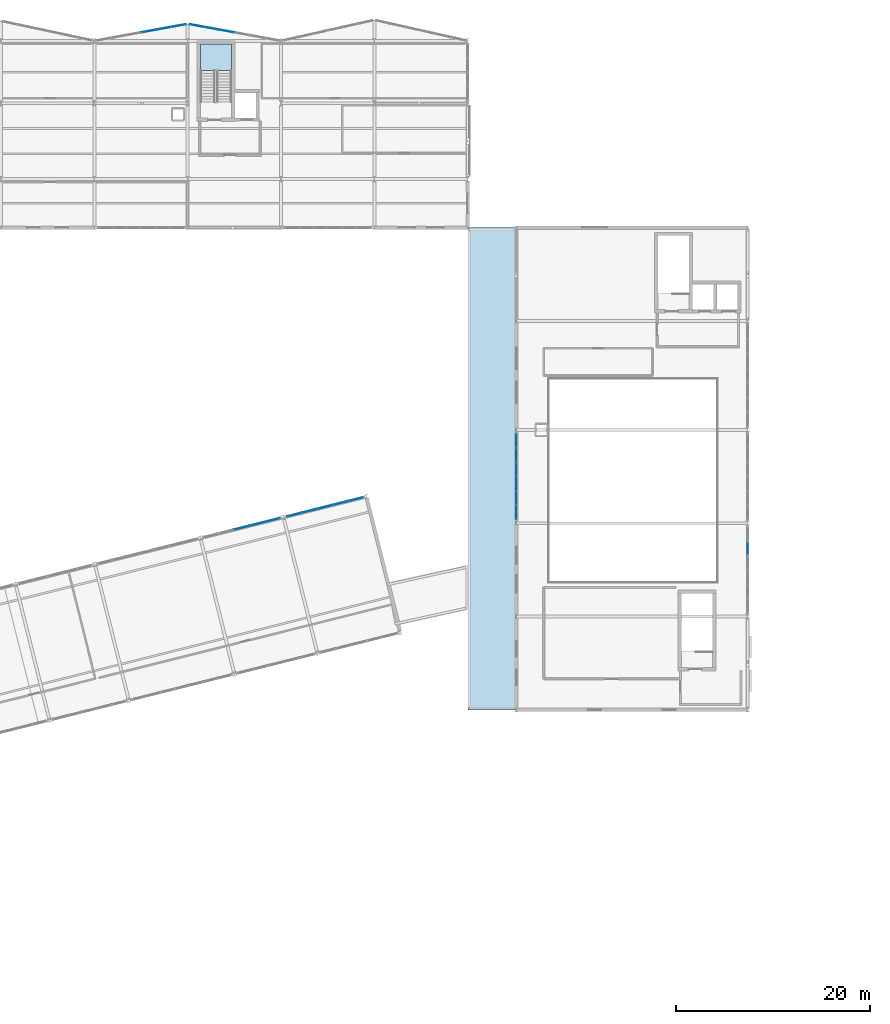
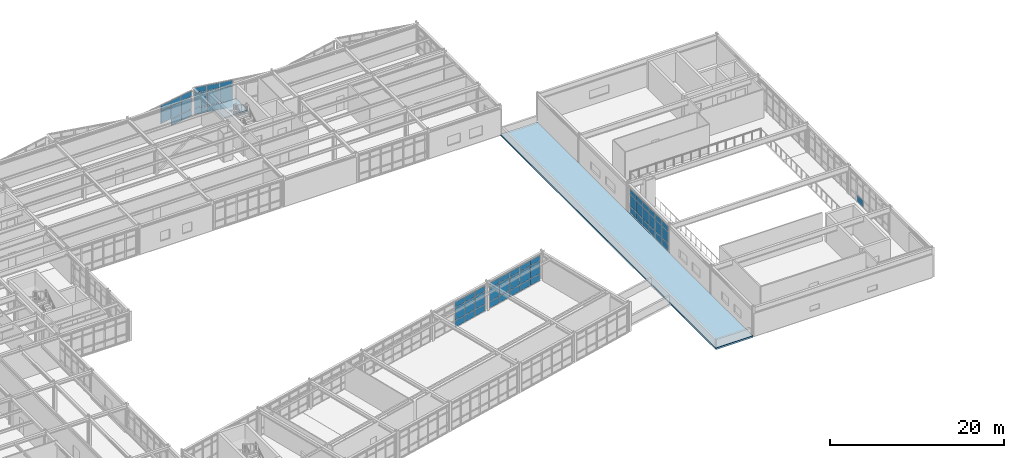
# One storey, part 54 of 76: 60 plates, 2 slabs, 7 elements without a shape of their own.
"""IFC4 building model written with IfcOpenShell, lengths in metres."""

from ifc_helpers import new_model, si_unit, direction, frame, origin, origin_2d, place, context, subcontext, project, spatial, polyline, rectangle, outline, extrude, material, layer, layer_set, type_object, element, aggregate, save


model = new_model("IFC4")

# Units and contexts
model_context = context("Model", 3, precision=1e-05, world=origin(), true_north=direction((0.0, 1.0)))
body_context = subcontext(model_context, "Body", "Model", "MODEL_VIEW")
ifc_project = project(units=[si_unit("LENGTHUNIT", "METRE"), si_unit("AREAUNIT", "SQUARE_METRE"), si_unit("VOLUMEUNIT", "CUBIC_METRE"), si_unit("PLANEANGLEUNIT", "RADIAN"), si_unit("MASSUNIT", "GRAM", prefix="KILO")], contexts=[model_context])

# Site, building, storey
site_placement = place(None, origin())
site = spatial("IfcSite", under=ifc_project, at=site_placement, CompositionType="ELEMENT")
building_placement = place(site_placement, origin())
building = spatial("IfcBuilding", under=site, at=building_placement, Name="Nordkorset Police Headquarters", CompositionType="ELEMENT")
storey_placement = place(building_placement, frame((0.0, 0.0, 13.64990234375)))
storey = spatial("IfcBuildingStorey", under=building, at=storey_placement, Name="L03", CompositionType="ELEMENT", Elevation=13.64990234375)

# Curtain wall, plates
ifc_material_1 = material(Name="Aluminium alloy AW-6060", Category="aluminium")
ifc_layer_1 = layer(ifc_material_1, 0.179931640625, Name="Aluminium alloy AW-6060")
ifc_layer_set_1 = layer_set([ifc_layer_1], Name="Aluminium alloy AW-6060")
curtain_wall_type_1 = type_object("IfcCurtainWallType", Name="CW_Unit_948x365", PredefinedType="USERDEFINED", material=ifc_layer_set_1)
curtain_wall_1_placement = place(storey_placement, origin())
curtain_wall_1 = element("IfcCurtainWall", 1, at=curtain_wall_1_placement, inside=storey, type_object=curtain_wall_type_1, Name="Unitised Curtain Wall L03 V2N-2", ObjectType="UNITISED CURTAIN WALL", PredefinedType="USERDEFINED")
ifc_material_2 = material(Name="Low-iron triple glazing", Category="glass")
ifc_layer_2 = layer(ifc_material_2, 0.035888671875, Name="Low-iron triple glazing")
ifc_layer_set_2 = layer_set([ifc_layer_2], Name="Low-iron triple glazing")
plate_type = type_object("IfcPlateType", Name="CW_Panel_TripleGlazing_36", PredefinedType="CURTAIN_PANEL", material=ifc_layer_set_2)
plate_1_placement = place(storey_placement, frame((53.5771484375, 117.816650390625, 1.03271484375), z_axis=(0.0, 0.0, 1.0), x_axis=(0.983787934979, 0.179335715876, 0.0)))
plate_1 = element("IfcPlate", 2, at=plate_1_placement, type_object=plate_type, Name="CW-39 panel 4.2", PredefinedType="CURTAIN_PANEL", context=body_context, shape_type="SweptSolid", body=[
    extrude(rectangle(XDim=1.5146484375, YDim=0.035888671875, at=origin_2d()), origin(), (0.0, 0.0, 1.0), 1.735107421875),
])
plate_2_placement = place(storey_placement, frame((53.5771484375, 117.816650390625, 2.83251953125), z_axis=(0.0, 0.0, 1.0), x_axis=(0.983787934979, 0.179335715876, 0.0)))
plate_2 = element("IfcPlate", 3, at=plate_2_placement, type_object=plate_type, Name="CW-39 panel 4.3", PredefinedType="CURTAIN_PANEL", context=body_context, shape_type="SweptSolid", body=[
    extrude(rectangle(XDim=1.5146484375, YDim=0.035888671875, at=origin_2d()), origin(), (0.0, 0.0, 1.0), 0.75244140625),
])
plate_3_placement = place(storey_placement, frame((55.131103515625, 118.099853515625, 0.06494140625), z_axis=(0.0, 0.0, 1.0), x_axis=(0.983787934979, 0.179335715876, 0.0)))
plate_3 = element("IfcPlate", 4, at=plate_3_placement, type_object=plate_type, Name="CW-39 panel 5.1", PredefinedType="CURTAIN_PANEL", context=body_context, shape_type="SweptSolid", body=[
    extrude(rectangle(XDim=1.5146484375, YDim=0.035888671875, at=origin_2d()), origin(), (0.0, 0.0, 1.0), 0.902587890625),
])
plate_4_placement = place(storey_placement, frame((55.131103515625, 118.099853515625, 1.03271484375), z_axis=(0.0, 0.0, 1.0), x_axis=(0.983787934979, 0.179335715876, 0.0)))
plate_4 = element("IfcPlate", 5, at=plate_4_placement, type_object=plate_type, Name="CW-39 panel 5.2", PredefinedType="CURTAIN_PANEL", context=body_context, shape_type="SweptSolid", body=[
    extrude(rectangle(XDim=1.5146484375, YDim=0.035888671875, at=origin_2d()), origin(), (0.0, 0.0, 1.0), 1.735107421875),
])
plate_5_placement = place(storey_placement, frame((55.131103515625, 118.099853515625, 2.83251953125), z_axis=(0.0, 0.0, 1.0), x_axis=(0.983787934979, 0.179335715876, 0.0)))
plate_5 = element("IfcPlate", 6, at=plate_5_placement, type_object=plate_type, Name="CW-39 panel 5.3", PredefinedType="CURTAIN_PANEL", context=body_context, shape_type="SweptSolid", body=[
    extrude(rectangle(XDim=1.5146484375, YDim=0.035888671875, at=origin_2d()), origin(), (0.0, 0.0, 1.0), 0.75244140625),
])
plate_6_placement = place(storey_placement, frame((56.669189453125, 118.38037109375, 0.06494140625), z_axis=(0.0, 0.0, 1.0), x_axis=(0.983787934979, 0.179335715876, 0.0)))
plate_6 = element("IfcPlate", 7, at=plate_6_placement, type_object=plate_type, Name="CW-39 panel 6.1", PredefinedType="CURTAIN_PANEL", context=body_context, shape_type="SweptSolid", body=[
    extrude(rectangle(XDim=1.482177734375, YDim=0.035888671875, at=origin_2d()), origin(), (0.0, 0.0, 1.0), 0.902587890625),
])
plate_7_placement = place(storey_placement, frame((56.669189453125, 118.38037109375, 1.03271484375), z_axis=(0.0, 0.0, 1.0), x_axis=(0.983787934979, 0.179335715876, 0.0)))
plate_7 = element("IfcPlate", 8, at=plate_7_placement, type_object=plate_type, Name="CW-39 panel 6.2", PredefinedType="CURTAIN_PANEL", context=body_context, shape_type="SweptSolid", body=[
    extrude(rectangle(XDim=1.482177734375, YDim=0.035888671875, at=origin_2d()), origin(), (0.0, 0.0, 1.0), 1.735107421875),
])
plate_8_placement = place(storey_placement, frame((56.669189453125, 118.38037109375, 2.83251953125), z_axis=(0.0, 0.0, 1.0), x_axis=(0.983787934979, 0.179335715876, 0.0)))
plate_8 = element("IfcPlate", 9, at=plate_8_placement, type_object=plate_type, Name="CW-39 panel 6.3", PredefinedType="CURTAIN_PANEL", context=body_context, shape_type="SweptSolid", body=[
    extrude(rectangle(XDim=1.482177734375, YDim=0.035888671875, at=origin_2d()), origin(), (0.0, 0.0, 1.0), 0.75244140625),
])
aggregate(curtain_wall_1, [plate_1, plate_2, plate_3, plate_4, plate_5, plate_6, plate_7, plate_8])

ifc_material_3 = material(Name="Aluminium alloy AW-6060", Category="aluminium")
ifc_layer_3 = layer(ifc_material_3, 0.179931640625, Name="Aluminium alloy AW-6060")
ifc_layer_set_3 = layer_set([ifc_layer_3], Name="Aluminium alloy AW-6060")
curtain_wall_type_2 = type_object("IfcCurtainWallType", Name="CW_Unit_948x392", PredefinedType="USERDEFINED", material=ifc_layer_set_3)
curtain_wall_2_placement = place(storey_placement, origin())
curtain_wall_2 = element("IfcCurtainWall", 10, at=curtain_wall_2_placement, inside=storey, type_object=curtain_wall_type_2, Name="Unitised Curtain Wall L03 V2N-3", ObjectType="UNITISED CURTAIN WALL", PredefinedType="USERDEFINED")
plate_9_placement = place(storey_placement, frame((58.53076171875, 118.38037109375, 0.06494140625), z_axis=(0.0, 0.0, 1.0), x_axis=(0.983787934979, -0.179335715876, 0.0)))
plate_9 = element("IfcPlate", 11, at=plate_9_placement, type_object=plate_type, Name="CW-65 panel 1.1", PredefinedType="CURTAIN_PANEL", context=body_context, shape_type="SweptSolid", body=[
    extrude(rectangle(XDim=1.482177734375, YDim=0.035888671875, at=origin_2d()), origin(), (0.0, 0.0, 1.0), 0.902587890625),
])
plate_10_placement = place(storey_placement, frame((58.53076171875, 118.38037109375, 1.03271484375), z_axis=(0.0, 0.0, 1.0), x_axis=(0.983787934979, -0.179335715876, 0.0)))
plate_10 = element("IfcPlate", 12, at=plate_10_placement, type_object=plate_type, Name="CW-65 panel 1.2", PredefinedType="CURTAIN_PANEL", context=body_context, shape_type="SweptSolid", body=[
    extrude(rectangle(XDim=1.482177734375, YDim=0.035888671875, at=origin_2d()), origin(), (0.0, 0.0, 1.0), 2.0048828125),
])
plate_11_placement = place(storey_placement, frame((58.53076171875, 118.38037109375, 3.1025390625), z_axis=(0.0, 0.0, 1.0), x_axis=(0.983787934979, -0.179335715876, 0.0)))
plate_11 = element("IfcPlate", 13, at=plate_11_placement, type_object=plate_type, Name="CW-65 panel 1.3", PredefinedType="CURTAIN_PANEL", context=body_context, shape_type="SweptSolid", body=[
    extrude(rectangle(XDim=1.482177734375, YDim=0.035888671875, at=origin_2d()), origin(), (0.0, 0.0, 1.0), 0.75244140625),
])
plate_12_placement = place(storey_placement, frame((60.06884765625, 118.099853515625, 0.06494140625), z_axis=(0.0, 0.0, 1.0), x_axis=(0.983787934979, -0.179335715876, 0.0)))
plate_12 = element("IfcPlate", 14, at=plate_12_placement, type_object=plate_type, Name="CW-65 panel 2.1", PredefinedType="CURTAIN_PANEL", context=body_context, shape_type="SweptSolid", body=[
    extrude(rectangle(XDim=1.5146484375, YDim=0.035888671875, at=origin_2d()), origin(), (0.0, 0.0, 1.0), 0.902587890625),
])
plate_13_placement = place(storey_placement, frame((60.06884765625, 118.099853515625, 1.03271484375), z_axis=(0.0, 0.0, 1.0), x_axis=(0.983787934979, -0.179335715876, 0.0)))
plate_13 = element("IfcPlate", 15, at=plate_13_placement, type_object=plate_type, Name="CW-65 panel 2.2", PredefinedType="CURTAIN_PANEL", context=body_context, shape_type="SweptSolid", body=[
    extrude(rectangle(XDim=1.5146484375, YDim=0.035888671875, at=origin_2d()), origin(), (0.0, 0.0, 1.0), 2.0048828125),
])
plate_14_placement = place(storey_placement, frame((60.06884765625, 118.099853515625, 3.1025390625), z_axis=(0.0, 0.0, 1.0), x_axis=(0.983787934979, -0.179335715876, 0.0)))
plate_14 = element("IfcPlate", 16, at=plate_14_placement, type_object=plate_type, Name="CW-65 panel 2.3", PredefinedType="CURTAIN_PANEL", context=body_context, shape_type="SweptSolid", body=[
    extrude(rectangle(XDim=1.5146484375, YDim=0.035888671875, at=origin_2d()), origin(), (0.0, 0.0, 1.0), 0.75244140625),
])
plate_15_placement = place(storey_placement, frame((61.623046875, 117.816650390625, 0.06494140625), z_axis=(0.0, 0.0, 1.0), x_axis=(0.983787934979, -0.179335715876, 0.0)))
plate_15 = element("IfcPlate", 17, at=plate_15_placement, type_object=plate_type, Name="CW-65 panel 3.1", PredefinedType="CURTAIN_PANEL", context=body_context, shape_type="SweptSolid", body=[
    extrude(rectangle(XDim=1.5146484375, YDim=0.035888671875, at=origin_2d()), origin(), (0.0, 0.0, 1.0), 0.902587890625),
])
plate_16_placement = place(storey_placement, frame((61.623046875, 117.816650390625, 1.03271484375), z_axis=(0.0, 0.0, 1.0), x_axis=(0.983787934979, -0.179335715876, 0.0)))
plate_16 = element("IfcPlate", 18, at=plate_16_placement, type_object=plate_type, Name="CW-65 panel 3.2", PredefinedType="CURTAIN_PANEL", context=body_context, shape_type="SweptSolid", body=[
    extrude(rectangle(XDim=1.5146484375, YDim=0.035888671875, at=origin_2d()), origin(), (0.0, 0.0, 1.0), 2.0048828125),
])
plate_17_placement = place(storey_placement, frame((61.623046875, 117.816650390625, 3.1025390625), z_axis=(0.0, 0.0, 1.0), x_axis=(0.983787934979, -0.179335715876, 0.0)))
plate_17 = element("IfcPlate", 19, at=plate_17_placement, type_object=plate_type, Name="CW-65 panel 3.3", PredefinedType="CURTAIN_PANEL", context=body_context, shape_type="SweptSolid", body=[
    extrude(rectangle(XDim=1.5146484375, YDim=0.035888671875, at=origin_2d()), origin(), (0.0, 0.0, 1.0), 0.75244140625),
])
aggregate(curtain_wall_2, [plate_9, plate_10, plate_11, plate_12, plate_13, plate_14, plate_15, plate_16, plate_17])

ifc_material_4 = material(Name="Aluminium alloy AW-6060", Category="aluminium")
ifc_layer_4 = layer(ifc_material_4, 0.179931640625, Name="Aluminium alloy AW-6060")
ifc_layer_set_4 = layer_set([ifc_layer_4], Name="Aluminium alloy AW-6060")
curtain_wall_type_3 = type_object("IfcCurtainWallType", Name="CW_Unit_816x366", PredefinedType="USERDEFINED", material=ifc_layer_set_4)
curtain_wall_3_placement = place(storey_placement, origin())
curtain_wall_3 = element("IfcCurtainWall", 20, at=curtain_wall_3_placement, inside=storey, type_object=curtain_wall_type_3, Name="Unitised Curtain Wall L03 V4N-4", ObjectType="UNITISED CURTAIN WALL", PredefinedType="USERDEFINED")
plate_18_placement = place(storey_placement, frame((63.181884765625, 66.738525390625, 0.06494140625), z_axis=(0.0, 0.0, 1.0), x_axis=(0.970142572234, 0.242535336683, 0.0)))
plate_18 = element("IfcPlate", 21, at=plate_18_placement, type_object=plate_type, Name="CW-87 panel 3.1", PredefinedType="CURTAIN_PANEL", context=body_context, shape_type="SweptSolid", body=[
    extrude(rectangle(XDim=1.56689453125, YDim=0.035888671875, at=origin_2d()), origin(), (0.0, 0.0, 1.0), 0.902587890625),
])
plate_19_placement = place(storey_placement, frame((63.181884765625, 66.738525390625, 1.03271484375), z_axis=(0.0, 0.0, 1.0), x_axis=(0.970142572234, 0.242535336683, 0.0)))
plate_19 = element("IfcPlate", 22, at=plate_19_placement, type_object=plate_type, Name="CW-87 panel 3.2", PredefinedType="CURTAIN_PANEL", context=body_context, shape_type="SweptSolid", body=[
    extrude(rectangle(XDim=1.56689453125, YDim=0.035888671875, at=origin_2d()), origin(), (0.0, 0.0, 1.0), 1.739990234375),
])
plate_20_placement = place(storey_placement, frame((63.181884765625, 66.738525390625, 2.837646484375), z_axis=(0.0, 0.0, 1.0), x_axis=(0.970142572234, 0.242535336683, 0.0)))
plate_20 = element("IfcPlate", 23, at=plate_20_placement, type_object=plate_type, Name="CW-87 panel 3.3", PredefinedType="CURTAIN_PANEL", context=body_context, shape_type="SweptSolid", body=[
    extrude(rectangle(XDim=1.56689453125, YDim=0.035888671875, at=origin_2d()), origin(), (0.0, 0.0, 1.0), 0.75244140625),
])
plate_21_placement = place(storey_placement, frame((64.76513671875, 67.134521484375, 0.06494140625), z_axis=(0.0, 0.0, 1.0), x_axis=(0.970142572234, 0.242535336683, 0.0)))
plate_21 = element("IfcPlate", 24, at=plate_21_placement, type_object=plate_type, Name="CW-87 panel 4.1", PredefinedType="CURTAIN_PANEL", context=body_context, shape_type="SweptSolid", body=[
    extrude(rectangle(XDim=1.56689453125, YDim=0.035888671875, at=origin_2d()), origin(), (0.0, 0.0, 1.0), 0.902587890625),
])
plate_22_placement = place(storey_placement, frame((64.76513671875, 67.134521484375, 1.03271484375), z_axis=(0.0, 0.0, 1.0), x_axis=(0.970142572234, 0.242535336683, 0.0)))
plate_22 = element("IfcPlate", 25, at=plate_22_placement, type_object=plate_type, Name="CW-87 panel 4.2", PredefinedType="CURTAIN_PANEL", context=body_context, shape_type="SweptSolid", body=[
    extrude(rectangle(XDim=1.56689453125, YDim=0.035888671875, at=origin_2d()), origin(), (0.0, 0.0, 1.0), 1.739990234375),
])
plate_23_placement = place(storey_placement, frame((64.76513671875, 67.134521484375, 2.837646484375), z_axis=(0.0, 0.0, 1.0), x_axis=(0.970142572234, 0.242535336683, 0.0)))
plate_23 = element("IfcPlate", 26, at=plate_23_placement, type_object=plate_type, Name="CW-87 panel 4.3", PredefinedType="CURTAIN_PANEL", context=body_context, shape_type="SweptSolid", body=[
    extrude(rectangle(XDim=1.56689453125, YDim=0.035888671875, at=origin_2d()), origin(), (0.0, 0.0, 1.0), 0.75244140625),
])
plate_24_placement = place(storey_placement, frame((66.33251953125, 67.5263671875, 0.06494140625), z_axis=(0.0, 0.0, 1.0), x_axis=(0.970142572234, 0.242535336683, 0.0)))
plate_24 = element("IfcPlate", 27, at=plate_24_placement, type_object=plate_type, Name="CW-87 panel 5.1", PredefinedType="CURTAIN_PANEL", context=body_context, shape_type="SweptSolid", body=[
    extrude(rectangle(XDim=1.534423828125, YDim=0.035888671875, at=origin_2d()), origin(), (0.0, 0.0, 1.0), 0.902587890625),
])
plate_25_placement = place(storey_placement, frame((66.33251953125, 67.5263671875, 1.03271484375), z_axis=(0.0, 0.0, 1.0), x_axis=(0.970142572234, 0.242535336683, 0.0)))
plate_25 = element("IfcPlate", 28, at=plate_25_placement, type_object=plate_type, Name="CW-87 panel 5.2", PredefinedType="CURTAIN_PANEL", context=body_context, shape_type="SweptSolid", body=[
    extrude(rectangle(XDim=1.534423828125, YDim=0.035888671875, at=origin_2d()), origin(), (0.0, 0.0, 1.0), 1.739990234375),
])
plate_26_placement = place(storey_placement, frame((66.33251953125, 67.5263671875, 2.837646484375), z_axis=(0.0, 0.0, 1.0), x_axis=(0.970142572234, 0.242535336683, 0.0)))
plate_26 = element("IfcPlate", 29, at=plate_26_placement, type_object=plate_type, Name="CW-87 panel 5.3", PredefinedType="CURTAIN_PANEL", context=body_context, shape_type="SweptSolid", body=[
    extrude(rectangle(XDim=1.534423828125, YDim=0.035888671875, at=origin_2d()), origin(), (0.0, 0.0, 1.0), 0.75244140625),
])
aggregate(curtain_wall_3, [plate_18, plate_19, plate_20, plate_21, plate_22, plate_23, plate_24, plate_25, plate_26])

curtain_wall_4_placement = place(storey_placement, origin())
curtain_wall_4 = element("IfcCurtainWall", 30, at=curtain_wall_4_placement, inside=storey, type_object=curtain_wall_type_3, Name="Unitised Curtain Wall L03 V4N-5", ObjectType="UNITISED CURTAIN WALL", PredefinedType="USERDEFINED")
plate_27_placement = place(storey_placement, frame((68.568359375, 68.085205078125, 0.06494140625), z_axis=(0.0, 0.0, 1.0), x_axis=(0.970142500145, 0.242535625038, 0.0)))
plate_27 = element("IfcPlate", 31, at=plate_27_placement, type_object=plate_type, Name="CW-87 panel 1.1", PredefinedType="CURTAIN_PANEL", context=body_context, shape_type="SweptSolid", body=[
    extrude(rectangle(XDim=1.534423828125, YDim=0.035888671875, at=origin_2d()), origin(), (0.0, 0.0, 1.0), 0.902587890625),
])
plate_28_placement = place(storey_placement, frame((68.568359375, 68.085205078125, 1.03271484375), z_axis=(0.0, 0.0, 1.0), x_axis=(0.970142500145, 0.242535625038, 0.0)))
plate_28 = element("IfcPlate", 32, at=plate_28_placement, type_object=plate_type, Name="CW-87 panel 1.2", PredefinedType="CURTAIN_PANEL", context=body_context, shape_type="SweptSolid", body=[
    extrude(rectangle(XDim=1.534423828125, YDim=0.035888671875, at=origin_2d()), origin(), (0.0, 0.0, 1.0), 1.739990234375),
])
plate_29_placement = place(storey_placement, frame((68.568359375, 68.085205078125, 2.837646484375), z_axis=(0.0, 0.0, 1.0), x_axis=(0.970142500145, 0.242535625038, 0.0)))
plate_29 = element("IfcPlate", 33, at=plate_29_placement, type_object=plate_type, Name="CW-87 panel 1.3", PredefinedType="CURTAIN_PANEL", context=body_context, shape_type="SweptSolid", body=[
    extrude(rectangle(XDim=1.534423828125, YDim=0.035888671875, at=origin_2d()), origin(), (0.0, 0.0, 1.0), 0.75244140625),
])
plate_30_placement = place(storey_placement, frame((70.1357421875, 68.47705078125, 0.06494140625), z_axis=(0.0, 0.0, 1.0), x_axis=(0.970142500145, 0.242535625038, 0.0)))
plate_30 = element("IfcPlate", 34, at=plate_30_placement, type_object=plate_type, Name="CW-87 panel 2.1", PredefinedType="CURTAIN_PANEL", context=body_context, shape_type="SweptSolid", body=[
    extrude(rectangle(XDim=1.56689453125, YDim=0.035888671875, at=origin_2d()), origin(), (0.0, 0.0, 1.0), 0.902587890625),
])
plate_31_placement = place(storey_placement, frame((70.1357421875, 68.47705078125, 1.03271484375), z_axis=(0.0, 0.0, 1.0), x_axis=(0.970142500145, 0.242535625038, 0.0)))
plate_31 = element("IfcPlate", 35, at=plate_31_placement, type_object=plate_type, Name="CW-87 panel 2.2", PredefinedType="CURTAIN_PANEL", context=body_context, shape_type="SweptSolid", body=[
    extrude(rectangle(XDim=1.56689453125, YDim=0.035888671875, at=origin_2d()), origin(), (0.0, 0.0, 1.0), 1.739990234375),
])
plate_32_placement = place(storey_placement, frame((70.1357421875, 68.47705078125, 2.837646484375), z_axis=(0.0, 0.0, 1.0), x_axis=(0.970142500145, 0.242535625038, 0.0)))
plate_32 = element("IfcPlate", 36, at=plate_32_placement, type_object=plate_type, Name="CW-87 panel 2.3", PredefinedType="CURTAIN_PANEL", context=body_context, shape_type="SweptSolid", body=[
    extrude(rectangle(XDim=1.56689453125, YDim=0.035888671875, at=origin_2d()), origin(), (0.0, 0.0, 1.0), 0.75244140625),
])
plate_33_placement = place(storey_placement, frame((71.718994140625, 68.873046875, 0.06494140625), z_axis=(0.0, 0.0, 1.0), x_axis=(0.970142500145, 0.242535625038, 0.0)))
plate_33 = element("IfcPlate", 37, at=plate_33_placement, type_object=plate_type, Name="CW-87 panel 3.1", PredefinedType="CURTAIN_PANEL", context=body_context, shape_type="SweptSolid", body=[
    extrude(rectangle(XDim=1.56689453125, YDim=0.035888671875, at=origin_2d()), origin(), (0.0, 0.0, 1.0), 0.902587890625),
])
plate_34_placement = place(storey_placement, frame((71.718994140625, 68.873046875, 1.03271484375), z_axis=(0.0, 0.0, 1.0), x_axis=(0.970142500145, 0.242535625038, 0.0)))
plate_34 = element("IfcPlate", 38, at=plate_34_placement, type_object=plate_type, Name="CW-87 panel 3.2", PredefinedType="CURTAIN_PANEL", context=body_context, shape_type="SweptSolid", body=[
    extrude(rectangle(XDim=1.56689453125, YDim=0.035888671875, at=origin_2d()), origin(), (0.0, 0.0, 1.0), 1.739990234375),
])
plate_35_placement = place(storey_placement, frame((71.718994140625, 68.873046875, 2.837646484375), z_axis=(0.0, 0.0, 1.0), x_axis=(0.970142500145, 0.242535625038, 0.0)))
plate_35 = element("IfcPlate", 39, at=plate_35_placement, type_object=plate_type, Name="CW-87 panel 3.3", PredefinedType="CURTAIN_PANEL", context=body_context, shape_type="SweptSolid", body=[
    extrude(rectangle(XDim=1.56689453125, YDim=0.035888671875, at=origin_2d()), origin(), (0.0, 0.0, 1.0), 0.75244140625),
])
plate_36_placement = place(storey_placement, frame((73.30224609375, 69.268798828125, 0.06494140625), z_axis=(0.0, 0.0, 1.0), x_axis=(0.970142500145, 0.242535625038, 0.0)))
plate_36 = element("IfcPlate", 40, at=plate_36_placement, type_object=plate_type, Name="CW-87 panel 4.1", PredefinedType="CURTAIN_PANEL", context=body_context, shape_type="SweptSolid", body=[
    extrude(rectangle(XDim=1.56689453125, YDim=0.035888671875, at=origin_2d()), origin(), (0.0, 0.0, 1.0), 0.902587890625),
])
plate_37_placement = place(storey_placement, frame((73.30224609375, 69.268798828125, 1.03271484375), z_axis=(0.0, 0.0, 1.0), x_axis=(0.970142500145, 0.242535625038, 0.0)))
plate_37 = element("IfcPlate", 41, at=plate_37_placement, type_object=plate_type, Name="CW-87 panel 4.2", PredefinedType="CURTAIN_PANEL", context=body_context, shape_type="SweptSolid", body=[
    extrude(rectangle(XDim=1.56689453125, YDim=0.035888671875, at=origin_2d()), origin(), (0.0, 0.0, 1.0), 1.739990234375),
])
plate_38_placement = place(storey_placement, frame((73.30224609375, 69.268798828125, 2.837646484375), z_axis=(0.0, 0.0, 1.0), x_axis=(0.970142500145, 0.242535625038, 0.0)))
plate_38 = element("IfcPlate", 42, at=plate_38_placement, type_object=plate_type, Name="CW-87 panel 4.3", PredefinedType="CURTAIN_PANEL", context=body_context, shape_type="SweptSolid", body=[
    extrude(rectangle(XDim=1.56689453125, YDim=0.035888671875, at=origin_2d()), origin(), (0.0, 0.0, 1.0), 0.75244140625),
])
plate_39_placement = place(storey_placement, frame((74.869873046875, 69.66064453125, 0.06494140625), z_axis=(0.0, 0.0, 1.0), x_axis=(0.970142500145, 0.242535625038, 0.0)))
plate_39 = element("IfcPlate", 43, at=plate_39_placement, type_object=plate_type, Name="CW-87 panel 5.1", PredefinedType="CURTAIN_PANEL", context=body_context, shape_type="SweptSolid", body=[
    extrude(rectangle(XDim=1.534423828125, YDim=0.035888671875, at=origin_2d()), origin(), (0.0, 0.0, 1.0), 0.902587890625),
])
plate_40_placement = place(storey_placement, frame((74.869873046875, 69.66064453125, 1.03271484375), z_axis=(0.0, 0.0, 1.0), x_axis=(0.970142500145, 0.242535625038, 0.0)))
plate_40 = element("IfcPlate", 44, at=plate_40_placement, type_object=plate_type, Name="CW-87 panel 5.2", PredefinedType="CURTAIN_PANEL", context=body_context, shape_type="SweptSolid", body=[
    extrude(rectangle(XDim=1.534423828125, YDim=0.035888671875, at=origin_2d()), origin(), (0.0, 0.0, 1.0), 1.739990234375),
])
plate_41_placement = place(storey_placement, frame((74.869873046875, 69.66064453125, 2.837646484375), z_axis=(0.0, 0.0, 1.0), x_axis=(0.970142500145, 0.242535625038, 0.0)))
plate_41 = element("IfcPlate", 45, at=plate_41_placement, type_object=plate_type, Name="CW-87 panel 5.3", PredefinedType="CURTAIN_PANEL", context=body_context, shape_type="SweptSolid", body=[
    extrude(rectangle(XDim=1.534423828125, YDim=0.035888671875, at=origin_2d()), origin(), (0.0, 0.0, 1.0), 0.75244140625),
])
aggregate(curtain_wall_4, [plate_27, plate_28, plate_29, plate_30, plate_31, plate_32, plate_33, plate_34, plate_35, plate_36, plate_37, plate_38, plate_39, plate_40, plate_41])

# Curtain wall, plate
ifc_material_5 = material(Name="Aluminium alloy AW-6060", Category="aluminium")
ifc_layer_5 = layer(ifc_material_5, 0.179931640625, Name="Aluminium alloy AW-6060")
ifc_layer_set_5 = layer_set([ifc_layer_5], Name="Aluminium alloy AW-6060")
curtain_wall_type_4 = type_object("IfcCurtainWallType", Name="CW_Unit_888x356", PredefinedType="USERDEFINED", material=ifc_layer_set_5)
curtain_wall_5_placement = place(storey_placement, origin())
curtain_wall_5 = element("IfcCurtainWall", 46, at=curtain_wall_5_placement, inside=storey, type_object=curtain_wall_type_4, Name="Unitised Curtain Wall L03 V5E-1", ObjectType="UNITISED CURTAIN WALL", PredefinedType="USERDEFINED")
plate_42_placement = place(storey_placement, frame((115.199951171875, 64.6201171875, 0.06494140625), z_axis=(0.0, 0.0, 1.0), x_axis=(0.0, 1.0, 0.0)))
plate_42 = element("IfcPlate", 47, at=plate_42_placement, type_object=plate_type, Name="CW-109 panel 5.1", PredefinedType="CURTAIN_PANEL", context=body_context, shape_type="SweptSolid", body=[
    extrude(rectangle(XDim=1.4150390625, YDim=0.035888671875, at=origin_2d()), origin(), (0.0, 0.0, 1.0), 0.902587890625),
])
aggregate(curtain_wall_5, [plate_42])

# Curtain wall, plates
curtain_wall_6_placement = place(storey_placement, origin())
curtain_wall_6 = element("IfcCurtainWall", 48, at=curtain_wall_6_placement, inside=storey, type_object=curtain_wall_type_4, Name="Unitised Curtain Wall L03 V5W-2", ObjectType="UNITISED CURTAIN WALL", PredefinedType="USERDEFINED")
plate_43_placement = place(storey_placement, frame((91.39990234375, 68.316162109375, 0.06494140625), z_axis=(0.0, 0.0, 1.0), x_axis=(0.0, 1.0, 0.0)))
plate_43 = element("IfcPlate", 49, at=plate_43_placement, type_object=plate_type, Name="CW-109 panel 1.1", PredefinedType="CURTAIN_PANEL", context=body_context, shape_type="SweptSolid", body=[
    extrude(rectangle(XDim=1.382568359375, YDim=0.035888671875, at=origin_2d()), origin(), (0.0, 0.0, 1.0), 0.902587890625),
])
plate_44_placement = place(storey_placement, frame((91.39990234375, 68.316162109375, 1.03271484375), z_axis=(0.0, 0.0, 1.0), x_axis=(0.0, 1.0, 0.0)))
plate_44 = element("IfcPlate", 50, at=plate_44_placement, type_object=plate_type, Name="CW-109 panel 1.2", PredefinedType="CURTAIN_PANEL", context=body_context, shape_type="SweptSolid", body=[
    extrude(rectangle(XDim=1.382568359375, YDim=0.035888671875, at=origin_2d()), origin(), (0.0, 0.0, 1.0), 1.64990234375),
])
plate_45_placement = place(storey_placement, frame((91.39990234375, 68.316162109375, 2.74755859375), z_axis=(0.0, 0.0, 1.0), x_axis=(0.0, 1.0, 0.0)))
plate_45 = element("IfcPlate", 51, at=plate_45_placement, type_object=plate_type, Name="CW-109 panel 1.3", PredefinedType="CURTAIN_PANEL", context=body_context, shape_type="SweptSolid", body=[
    extrude(rectangle(XDim=1.382568359375, YDim=0.035888671875, at=origin_2d()), origin(), (0.0, 0.0, 1.0), 0.75244140625),
])
plate_46_placement = place(storey_placement, frame((91.39990234375, 69.780029296875, 0.06494140625), z_axis=(0.0, 0.0, 1.0), x_axis=(0.0, 1.0, 0.0)))
plate_46 = element("IfcPlate", 52, at=plate_46_placement, type_object=plate_type, Name="CW-109 panel 2.1", PredefinedType="CURTAIN_PANEL", context=body_context, shape_type="SweptSolid", body=[
    extrude(rectangle(XDim=1.4150390625, YDim=0.035888671875, at=origin_2d()), origin(), (0.0, 0.0, 1.0), 0.902587890625),
])
plate_47_placement = place(storey_placement, frame((91.39990234375, 69.780029296875, 1.03271484375), z_axis=(0.0, 0.0, 1.0), x_axis=(0.0, 1.0, 0.0)))
plate_47 = element("IfcPlate", 53, at=plate_47_placement, type_object=plate_type, Name="CW-109 panel 2.2", PredefinedType="CURTAIN_PANEL", context=body_context, shape_type="SweptSolid", body=[
    extrude(rectangle(XDim=1.4150390625, YDim=0.035888671875, at=origin_2d()), origin(), (0.0, 0.0, 1.0), 1.64990234375),
])
plate_48_placement = place(storey_placement, frame((91.39990234375, 69.780029296875, 2.74755859375), z_axis=(0.0, 0.0, 1.0), x_axis=(0.0, 1.0, 0.0)))
plate_48 = element("IfcPlate", 54, at=plate_48_placement, type_object=plate_type, Name="CW-109 panel 2.3", PredefinedType="CURTAIN_PANEL", context=body_context, shape_type="SweptSolid", body=[
    extrude(rectangle(XDim=1.4150390625, YDim=0.035888671875, at=origin_2d()), origin(), (0.0, 0.0, 1.0), 0.75244140625),
])
plate_49_placement = place(storey_placement, frame((91.39990234375, 71.260009765625, 0.06494140625), z_axis=(0.0, 0.0, 1.0), x_axis=(0.0, 1.0, 0.0)))
plate_49 = element("IfcPlate", 55, at=plate_49_placement, type_object=plate_type, Name="CW-109 panel 3.1", PredefinedType="CURTAIN_PANEL", context=body_context, shape_type="SweptSolid", body=[
    extrude(rectangle(XDim=1.4150390625, YDim=0.035888671875, at=origin_2d()), origin(), (0.0, 0.0, 1.0), 0.902587890625),
])
plate_50_placement = place(storey_placement, frame((91.39990234375, 71.260009765625, 1.03271484375), z_axis=(0.0, 0.0, 1.0), x_axis=(0.0, 1.0, 0.0)))
plate_50 = element("IfcPlate", 56, at=plate_50_placement, type_object=plate_type, Name="CW-109 panel 3.2", PredefinedType="CURTAIN_PANEL", context=body_context, shape_type="SweptSolid", body=[
    extrude(rectangle(XDim=1.4150390625, YDim=0.035888671875, at=origin_2d()), origin(), (0.0, 0.0, 1.0), 1.64990234375),
])
plate_51_placement = place(storey_placement, frame((91.39990234375, 71.260009765625, 2.74755859375), z_axis=(0.0, 0.0, 1.0), x_axis=(0.0, 1.0, 0.0)))
plate_51 = element("IfcPlate", 57, at=plate_51_placement, type_object=plate_type, Name="CW-109 panel 3.3", PredefinedType="CURTAIN_PANEL", context=body_context, shape_type="SweptSolid", body=[
    extrude(rectangle(XDim=1.4150390625, YDim=0.035888671875, at=origin_2d()), origin(), (0.0, 0.0, 1.0), 0.75244140625),
])
plate_52_placement = place(storey_placement, frame((91.39990234375, 72.739990234375, 0.06494140625), z_axis=(0.0, 0.0, 1.0), x_axis=(0.0, 1.0, 0.0)))
plate_52 = element("IfcPlate", 58, at=plate_52_placement, type_object=plate_type, Name="CW-109 panel 4.1", PredefinedType="CURTAIN_PANEL", context=body_context, shape_type="SweptSolid", body=[
    extrude(rectangle(XDim=1.4150390625, YDim=0.035888671875, at=origin_2d()), origin(), (0.0, 0.0, 1.0), 0.902587890625),
])
plate_53_placement = place(storey_placement, frame((91.39990234375, 72.739990234375, 1.03271484375), z_axis=(0.0, 0.0, 1.0), x_axis=(0.0, 1.0, 0.0)))
plate_53 = element("IfcPlate", 59, at=plate_53_placement, type_object=plate_type, Name="CW-109 panel 4.2", PredefinedType="CURTAIN_PANEL", context=body_context, shape_type="SweptSolid", body=[
    extrude(rectangle(XDim=1.4150390625, YDim=0.035888671875, at=origin_2d()), origin(), (0.0, 0.0, 1.0), 1.64990234375),
])
plate_54_placement = place(storey_placement, frame((91.39990234375, 72.739990234375, 2.74755859375), z_axis=(0.0, 0.0, 1.0), x_axis=(0.0, 1.0, 0.0)))
plate_54 = element("IfcPlate", 60, at=plate_54_placement, type_object=plate_type, Name="CW-109 panel 4.3", PredefinedType="CURTAIN_PANEL", context=body_context, shape_type="SweptSolid", body=[
    extrude(rectangle(XDim=1.4150390625, YDim=0.035888671875, at=origin_2d()), origin(), (0.0, 0.0, 1.0), 0.75244140625),
])
plate_55_placement = place(storey_placement, frame((91.39990234375, 74.219970703125, 0.06494140625), z_axis=(0.0, 0.0, 1.0), x_axis=(0.0, 1.0, 0.0)))
plate_55 = element("IfcPlate", 61, at=plate_55_placement, type_object=plate_type, Name="CW-109 panel 5.1", PredefinedType="CURTAIN_PANEL", context=body_context, shape_type="SweptSolid", body=[
    extrude(rectangle(XDim=1.4150390625, YDim=0.035888671875, at=origin_2d()), origin(), (0.0, 0.0, 1.0), 0.902587890625),
])
plate_56_placement = place(storey_placement, frame((91.39990234375, 74.219970703125, 1.03271484375), z_axis=(0.0, 0.0, 1.0), x_axis=(0.0, 1.0, 0.0)))
plate_56 = element("IfcPlate", 62, at=plate_56_placement, type_object=plate_type, Name="CW-109 panel 5.2", PredefinedType="CURTAIN_PANEL", context=body_context, shape_type="SweptSolid", body=[
    extrude(rectangle(XDim=1.4150390625, YDim=0.035888671875, at=origin_2d()), origin(), (0.0, 0.0, 1.0), 1.64990234375),
])
plate_57_placement = place(storey_placement, frame((91.39990234375, 74.219970703125, 2.74755859375), z_axis=(0.0, 0.0, 1.0), x_axis=(0.0, 1.0, 0.0)))
plate_57 = element("IfcPlate", 63, at=plate_57_placement, type_object=plate_type, Name="CW-109 panel 5.3", PredefinedType="CURTAIN_PANEL", context=body_context, shape_type="SweptSolid", body=[
    extrude(rectangle(XDim=1.4150390625, YDim=0.035888671875, at=origin_2d()), origin(), (0.0, 0.0, 1.0), 0.75244140625),
])
plate_58_placement = place(storey_placement, frame((91.39990234375, 75.683837890625, 0.06494140625), z_axis=(0.0, 0.0, 1.0), x_axis=(0.0, 1.0, 0.0)))
plate_58 = element("IfcPlate", 64, at=plate_58_placement, type_object=plate_type, Name="CW-109 panel 6.1", PredefinedType="CURTAIN_PANEL", context=body_context, shape_type="SweptSolid", body=[
    extrude(rectangle(XDim=1.382568359375, YDim=0.035888671875, at=origin_2d()), origin(), (0.0, 0.0, 1.0), 0.902587890625),
])
plate_59_placement = place(storey_placement, frame((91.39990234375, 75.683837890625, 1.03271484375), z_axis=(0.0, 0.0, 1.0), x_axis=(0.0, 1.0, 0.0)))
plate_59 = element("IfcPlate", 65, at=plate_59_placement, type_object=plate_type, Name="CW-109 panel 6.2", PredefinedType="CURTAIN_PANEL", context=body_context, shape_type="SweptSolid", body=[
    extrude(rectangle(XDim=1.382568359375, YDim=0.035888671875, at=origin_2d()), origin(), (0.0, 0.0, 1.0), 1.64990234375),
])
plate_60_placement = place(storey_placement, frame((91.39990234375, 75.683837890625, 2.74755859375), z_axis=(0.0, 0.0, 1.0), x_axis=(0.0, 1.0, 0.0)))
plate_60 = element("IfcPlate", 66, at=plate_60_placement, type_object=plate_type, Name="CW-109 panel 6.3", PredefinedType="CURTAIN_PANEL", context=body_context, shape_type="SweptSolid", body=[
    extrude(rectangle(XDim=1.382568359375, YDim=0.035888671875, at=origin_2d()), origin(), (0.0, 0.0, 1.0), 0.75244140625),
])
aggregate(curtain_wall_6, [plate_43, plate_44, plate_45, plate_46, plate_47, plate_48, plate_49, plate_50, plate_51, plate_52, plate_53, plate_54, plate_55, plate_56, plate_57, plate_58, plate_59, plate_60])

# Slab
ifc_material_6 = material(Name="Concrete C35/45", Category="concrete")
ifc_layer_6 = layer(ifc_material_6, 0.235107421875, Name="Concrete C35/45")
ifc_layer_set_6 = layer_set([ifc_layer_6], Name="Concrete C35/45")
slab_type_1 = type_object("IfcSlabType", Name="Slab_RoofFlat_235", PredefinedType="ROOF", material=ifc_layer_set_6)
slab_1_placement = place(storey_placement, frame((0.0, 0.0, -0.23486328125)))
element("IfcSlab", 67, at=slab_1_placement, inside=storey, type_object=slab_type_1, Name="Training Pavilion Setback Roof Slab", PredefinedType="ROOF", context=body_context, shape_type="SweptSolid", body=[
    extrude(outline(polyline([(86.409912109375, 48.0), (91.35009765625, 48.0), (91.35009765625, 97.60009765625), (86.409912109375, 97.60009765625), (86.409912109375, 48.0)])), origin(), (0.0, 0.0, 1.0), 0.23486328125),
])

# Stair, slab
ifc_material_7 = material(Name="Concrete C35/45", Category="concrete")
stair_type = type_object("IfcStairType", Name="ST-42", PredefinedType="HALF_TURN_STAIR", material=ifc_material_7)
stair_placement = place(storey_placement, origin())
stair = element("IfcStair", 68, at=stair_placement, inside=storey, type_object=stair_type, Name="L03 Protected Escape Stair ST-02", PredefinedType="HALF_TURN_STAIR")
ifc_material_8 = material(Name="Concrete C35/45", Category="concrete")
ifc_layer_7 = layer(ifc_material_8, 0.199951171875, Name="Concrete C35/45")
ifc_layer_set_7 = layer_set([ifc_layer_7], Name="Concrete C35/45")
slab_type_2 = type_object("IfcSlabType", Name="Slab_StairLanding_200", PredefinedType="LANDING", material=ifc_layer_set_7)
slab_2_placement = place(storey_placement, frame((0.0, 0.0, 1.900146484375)))
slab_2 = element("IfcSlab", 69, at=slab_2_placement, type_object=slab_type_2, Name="ST-02 landing 1", PredefinedType="LANDING", context=body_context, shape_type="SweptSolid", body=[
    extrude(outline(polyline([(62.125, 113.77001953125), (62.125, 116.47509765625), (58.925048828125, 116.47509765625), (58.925048828125, 113.77001953125), (62.125, 113.77001953125)])), origin(), (0.0, 0.0, 1.0), 0.199951171875),
])
aggregate(stair, [slab_2])

save(model, "model.ifc")
